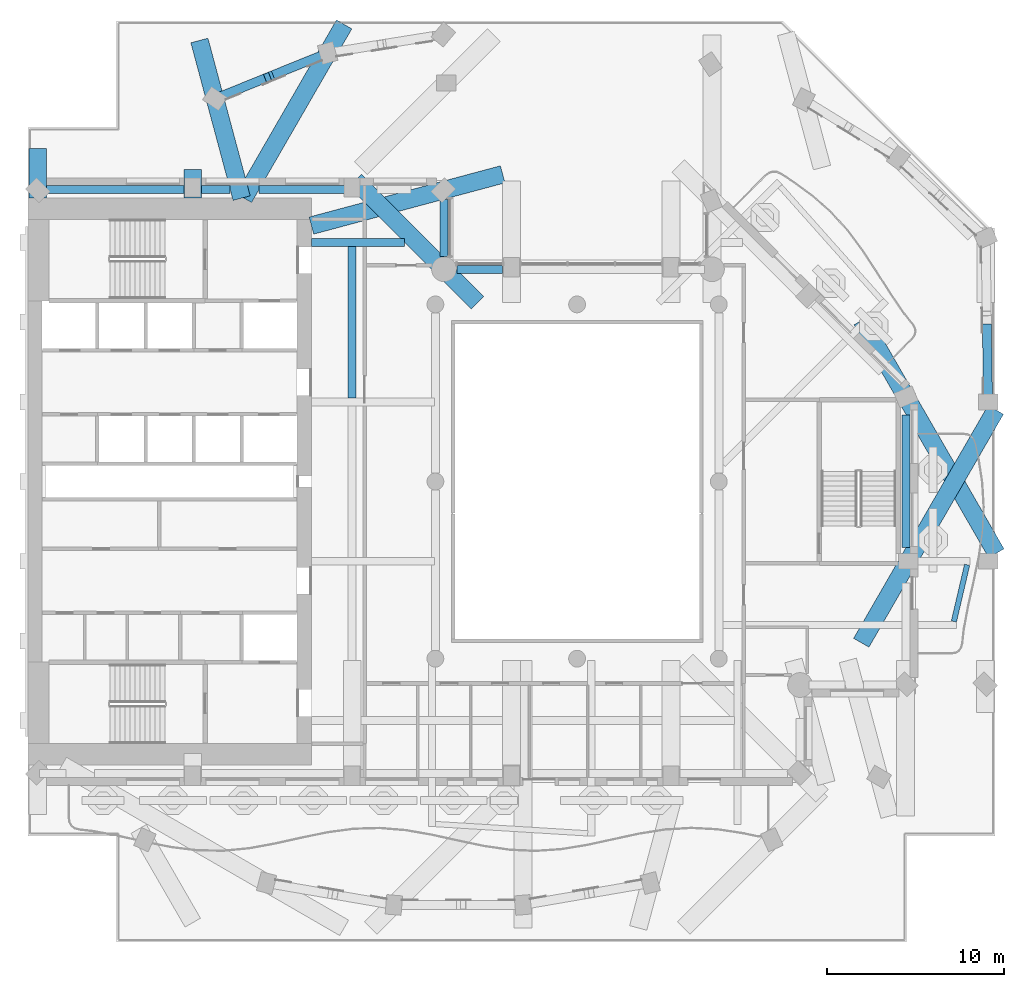
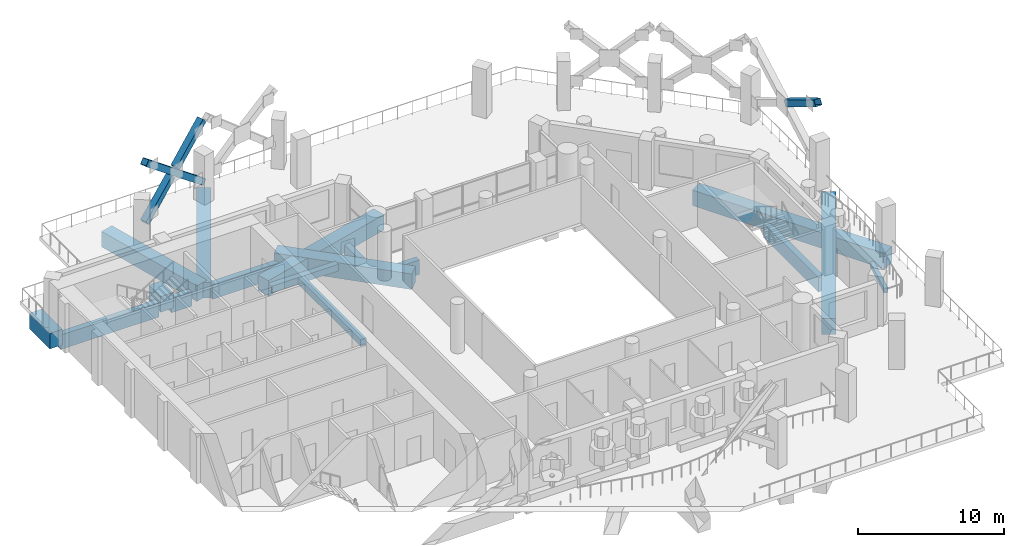
# One storey, part 2 of 18: 17 beams, 4 members.
"""IFC4 building model written with IfcOpenShell, lengths in metres."""

from ifc_helpers import new_model, si_unit, direction, frame, origin, origin_2d, place, context, subcontext, project, spatial, rectangle, hollow_rectangle, extrude, material, material_profile, profile_set, type_object, element, save


model = new_model("IFC4")

# Units and contexts
model_context = context("Model", 3, precision=1e-05, world=origin(), true_north=direction((0.0, 1.0)))
body_context = subcontext(model_context, "Body", "Model", "MODEL_VIEW")
ifc_project = project(units=[si_unit("LENGTHUNIT", "METRE"), si_unit("AREAUNIT", "SQUARE_METRE"), si_unit("VOLUMEUNIT", "CUBIC_METRE"), si_unit("PLANEANGLEUNIT", "RADIAN"), si_unit("MASSUNIT", "GRAM", prefix="KILO")], contexts=[model_context])

# Site, building, storey
site_placement = place(None, origin())
site = spatial("IfcSite", under=ifc_project, at=site_placement, CompositionType="ELEMENT")
building_placement = place(site_placement, origin())
building = spatial("IfcBuilding", under=site, at=building_placement, Name="Cypress Arch Tower", CompositionType="ELEMENT")
storey_placement = place(building_placement, frame((0.0, 0.0, 160.5)))
storey = spatial("IfcBuildingStorey", under=building, at=storey_placement, Name="L34", CompositionType="ELEMENT", Elevation=160.5)

# Beam
ifc_material_1 = material(Name="Concrete C50/60", Category="concrete")
ifc_material_profile_1 = material_profile(ifc_material_1, rectangle(XDim=0.300048828125, YDim=0.39990234375, at=origin_2d()), Name="RC 300x400")
ifc_profile_set_1 = profile_set([ifc_material_profile_1], Name="Concrete C50/60")
beam_type_1 = type_object("IfcBeamType", Name="Balcony edge beam RC 300x400 Concrete C50/60", PredefinedType="BEAM", material=ifc_profile_set_1)
beam_1_placement = place(storey_placement, frame((22.27197265625, -7.89990234375, -0.5), z_axis=(0.22749030428, 0.973780345591, 0.0), x_axis=(-0.973780345591, 0.22749030428, 0.0)))
element("IfcBeam", 1, at=beam_1_placement, inside=storey, type_object=beam_type_1, Name="Balcony edge beam L34 B04", PredefinedType="BEAM", context=body_context, shape_type="SweptSolid", body=[
    extrude(rectangle(XDim=0.300048828125, YDim=0.39990234375, at=origin_2d()), origin(), (0.0, 0.0, 1.0), 3.2861328125),
])

# Members
ifc_material_2 = material(Name="Steel ASTM A500 Grade C", Category="steel")
ifc_material_profile_2 = material_profile(ifc_material_2, hollow_rectangle(XDim=0.508056640625, YDim=0.508056640625, WallThickness=0.017578125, at=origin_2d()), Name="HSS 20x20x3/4")
ifc_profile_set_2 = profile_set([ifc_material_profile_2], Name="Steel ASTM A500 Grade C")
member_type = type_object("IfcMemberType", Name="Exoskeleton brace HSS 20x20x3/4 Steel ASTM A500 Grade C", PredefinedType="BRACE", material=ifc_profile_set_2)
member_1_placement = place(storey_placement, frame((-13.27978515625, 24.113037109375, 1.671630859375), z_axis=(-0.723226004636, -0.292975859294, 0.625387313661), x_axis=(0.37545869254, -0.926839128542, 0.0)))
element("IfcMember", 2, at=member_1_placement, inside=storey, type_object=member_type, Name="Exoskeleton brace L34 CQ03-CQ04a", PredefinedType="BRACE", context=body_context, shape_type="SweptSolid", body=[
    extrude(hollow_rectangle(XDim=0.508056640625, YDim=0.508056640625, WallThickness=0.017578125, at=origin_2d()), origin(), (0.0, 0.0, 1.0), 8.134765625),
])
member_2_placement = place(storey_placement, frame((-13.27978515625, 24.113037109375, 6.828369140625), z_axis=(-0.719383656179, -0.291412977724, -0.630528057772), x_axis=(0.37545165118, -0.926841980936, 0.0)))
element("IfcMember", 3, at=member_2_placement, inside=storey, type_object=member_type, Name="Exoskeleton brace L34 CQ03-CQ04b1", PredefinedType="BRACE", context=body_context, shape_type="SweptSolid", body=[
    extrude(hollow_rectangle(XDim=0.508056640625, YDim=0.508056640625, WallThickness=0.017578125, at=origin_2d()), origin(), (0.0, 0.0, 1.0), 3.802734375),
])
member_3_placement = place(storey_placement, frame((-19.1630859375, 21.729736328125, 1.740966796875), z_axis=(0.727077889867, 0.294540130932, 0.620164376063), x_axis=(-0.375462951032, 0.926837403433, 0.0)))
element("IfcMember", 4, at=member_3_placement, inside=storey, type_object=member_type, Name="Exoskeleton brace L34 CQ03-CQ04b2", PredefinedType="BRACE", context=body_context, shape_type="SweptSolid", body=[
    extrude(hollow_rectangle(XDim=0.508056640625, YDim=0.508056640625, WallThickness=0.017578125, at=origin_2d()), origin(), (0.0, 0.0, 1.0), 3.69921875),
])
member_4_placement = place(storey_placement, frame((24.196533203125, 4.740234375, 6.857177734375), z_axis=(-0.0126406392, 0.858675486837, -0.512363759985), x_axis=(-0.999891662361, -0.014719495242, 0.0)))
element("IfcMember", 5, at=member_4_placement, inside=storey, type_object=member_type, Name="Exoskeleton brace L34 CQ14-CQ15b1", PredefinedType="BRACE", context=body_context, shape_type="SweptSolid", body=[
    extrude(hollow_rectangle(XDim=0.508056640625, YDim=0.508056640625, WallThickness=0.017578125, at=origin_2d()), origin(), (0.0, 0.0, 1.0), 4.674072265625),
])

# Beams
ifc_material_3 = material(Name="Concrete C50/60", Category="concrete")
ifc_material_profile_3 = material_profile(ifc_material_3, rectangle(XDim=0.449951171875, YDim=0.550048828125, at=origin_2d()), Name="RC 450x550")
ifc_profile_set_3 = profile_set([ifc_material_profile_3], Name="Concrete C50/60")
beam_type_2 = type_object("IfcBeamType", Name="Floor beam RC 450x550 Concrete C50/60", PredefinedType="BEAM", material=ifc_profile_set_3)
beam_2_placement = place(storey_placement, frame((-14.0, 13.5, -0.574951171875), z_axis=(1.0, 0.0, 0.0), x_axis=(0.0, 1.0, 0.0)))
element("IfcBeam", 6, at=beam_2_placement, inside=storey, type_object=beam_type_2, Name="Floor beam L34 FB015", PredefinedType="BEAM", context=body_context, shape_type="SweptSolid", body=[
    extrude(rectangle(XDim=0.449951171875, YDim=0.550048828125, at=origin_2d()), origin(), (0.0, 0.0, 1.0), 5.2685546875),
])
beam_3_placement = place(storey_placement, frame((-11.699951171875, 4.72509765625, -0.574951171875), z_axis=(0.0, 1.0, 0.0), x_axis=(-1.0, 0.0, 0.0)))
element("IfcBeam", 7, at=beam_3_placement, inside=storey, type_object=beam_type_2, Name="Floor beam L34 FB019", PredefinedType="BEAM", context=body_context, shape_type="SweptSolid", body=[
    extrude(rectangle(XDim=0.449951171875, YDim=0.550048828125, at=origin_2d()), origin(), (0.0, 0.0, 1.0), 8.5498046875),
])
ifc_material_4 = material(Name="Concrete C50/60", Category="concrete")
ifc_material_profile_4 = material_profile(ifc_material_4, rectangle(XDim=0.449951171875, YDim=1.199951171875, at=origin_2d()), Name="RC 450x1200")
ifc_profile_set_4 = profile_set([ifc_material_profile_4], Name="Concrete C50/60")
beam_type_3 = type_object("IfcBeamType", Name="Spandrel beam RC 450x1200 Concrete C50/60", PredefinedType="SPANDREL", material=ifc_profile_set_4)
beam_4_placement = place(storey_placement, frame((19.574951171875, -3.716552734375, -1.550048828125), z_axis=(0.0, 1.0, 0.0), x_axis=(-1.0, 0.0, 0.0)))
element("IfcBeam", 8, at=beam_4_placement, inside=storey, type_object=beam_type_3, Name="Spandrel beam L34 BB04-1", PredefinedType="SPANDREL", context=body_context, shape_type="SweptSolid", body=[
    extrude(rectangle(XDim=0.449951171875, YDim=1.199951171875, at=origin_2d()), origin(), (0.0, 0.0, 1.0), 7.487548828125),
])
beam_5_placement = place(storey_placement, frame((-3.199951171875, 11.97509765625, -1.550048828125), z_axis=(-1.0, 0.0, 0.0), x_axis=(0.0, -1.0, 0.0)))
element("IfcBeam", 9, at=beam_5_placement, inside=storey, type_object=beam_type_3, Name="Spandrel beam L34 BB07-2", PredefinedType="SPANDREL", context=body_context, shape_type="SweptSolid", body=[
    extrude(rectangle(XDim=0.449951171875, YDim=1.199951171875, at=origin_2d()), origin(), (0.0, 0.0, 1.0), 2.59228515625),
])
beam_6_placement = place(storey_placement, frame((-6.52490234375, 12.707763671875, -1.550048828125), z_axis=(0.0, 1.0, 0.0), x_axis=(-1.0, 0.0, 0.0)))
element("IfcBeam", 10, at=beam_6_placement, inside=storey, type_object=beam_type_3, Name="Spandrel beam L34 BB08-0", PredefinedType="SPANDREL", context=body_context, shape_type="SweptSolid", body=[
    extrude(rectangle(XDim=0.449951171875, YDim=1.199951171875, at=origin_2d()), origin(), (0.0, 0.0, 1.0), 3.22607421875),
])
beam_7_placement = place(storey_placement, frame((-11.706298828125, 16.47509765625, -1.550048828125), z_axis=(-1.0, 0.0, 0.0), x_axis=(0.0, -1.0, 0.0)))
element("IfcBeam", 11, at=beam_7_placement, inside=storey, type_object=beam_type_3, Name="Spandrel beam L34 BB09-1", PredefinedType="SPANDREL", context=body_context, shape_type="SweptSolid", body=[
    extrude(rectangle(XDim=0.449951171875, YDim=1.199951171875, at=origin_2d()), origin(), (0.0, 0.0, 1.0), 5.25390625),
])
beam_8_placement = place(storey_placement, frame((-18.581787109375, 16.47509765625, -1.550048828125), z_axis=(-1.0, 0.0, 0.0), x_axis=(0.0, -1.0, 0.0)))
element("IfcBeam", 12, at=beam_8_placement, inside=storey, type_object=beam_type_3, Name="Spandrel beam L34 BB09-1", PredefinedType="SPANDREL", context=body_context, shape_type="SweptSolid", body=[
    extrude(rectangle(XDim=0.449951171875, YDim=1.199951171875, at=origin_2d()), origin(), (0.0, 0.0, 1.0), 1.6181640625),
])
beam_9_placement = place(storey_placement, frame((-21.199951171875, 16.47509765625, -1.550048828125), z_axis=(-1.0, 0.0, 0.0), x_axis=(0.0, -1.0, 0.0)))
element("IfcBeam", 13, at=beam_9_placement, inside=storey, type_object=beam_type_3, Name="Spandrel beam L34 BB09-2", PredefinedType="SPANDREL", context=body_context, shape_type="SweptSolid", body=[
    extrude(rectangle(XDim=0.449951171875, YDim=1.199951171875, at=origin_2d()), origin(), (0.0, 0.0, 1.0), 7.742919921875),
])
ifc_material_5 = material(Name="Concrete C80/95", Category="concrete")
ifc_material_profile_5 = material_profile(ifc_material_5, rectangle(XDim=1.0, YDim=1.300048828125, at=origin_2d()), Name="RC 1000x1300")
ifc_profile_set_5 = profile_set([ifc_material_profile_5], Name="Concrete C80/95")
beam_type_4 = type_object("IfcBeamType", Name="Transfer girder RC 1000x1300 Concrete C80/95", PredefinedType="BEAM", material=ifc_profile_set_5)
beam_10_placement = place(storey_placement, frame((-29.44287109375, 16.0, -0.949951171875), z_axis=(0.0, 1.0, 0.0), x_axis=(-1.0, 0.0, 0.0)))
element("IfcBeam", 14, at=beam_10_placement, inside=storey, type_object=beam_type_4, Name="Transfer girder L34 CB00", PredefinedType="BEAM", context=body_context, shape_type="SweptSolid", body=[
    extrude(rectangle(XDim=1.0, YDim=1.300048828125, at=origin_2d()), origin(), (0.0, 0.0, 1.0), 2.806396484375),
])
beam_11_placement = place(storey_placement, frame((17.044189453125, -9.10009765625, -0.949951171875), z_axis=(0.499990141301, 0.866031095632, 0.0), x_axis=(-0.866031095632, 0.499990141301, 0.0)))
element("IfcBeam", 15, at=beam_11_placement, inside=storey, type_object=beam_type_4, Name="Transfer girder L34 CB09", PredefinedType="BEAM", context=body_context, shape_type="SweptSolid", body=[
    extrude(rectangle(XDim=1.0, YDim=1.300048828125, at=origin_2d()), origin(), (0.0, 0.0, 1.0), 15.184326171875),
])
beam_12_placement = place(storey_placement, frame((24.66796875, -4.050048828125, -0.949951171875), z_axis=(-0.500002200117, 0.866024133543, 0.0), x_axis=(-0.866024133543, -0.500002200117, 0.0)))
element("IfcBeam", 16, at=beam_12_placement, inside=storey, type_object=beam_type_4, Name="Transfer girder L34 CB10", PredefinedType="BEAM", context=body_context, shape_type="SweptSolid", body=[
    extrude(rectangle(XDim=1.0, YDim=1.300048828125, at=origin_2d()), origin(), (0.0, 0.0, 1.0), 15.1845703125),
])
beam_13_placement = place(storey_placement, frame((-4.624267578125, 10.10009765625, -0.949951171875), z_axis=(-0.707119283627, 0.707094278525, 0.0), x_axis=(-0.707094278525, -0.707119283627, 0.0)))
element("IfcBeam", 17, at=beam_13_placement, inside=storey, type_object=beam_type_4, Name="Transfer girder L34 CB16", PredefinedType="BEAM", context=body_context, shape_type="SweptSolid", body=[
    extrude(rectangle(XDim=1.0, YDim=1.300048828125, at=origin_2d()), origin(), (0.0, 0.0, 1.0), 9.763671875),
])
beam_14_placement = place(storey_placement, frame((-14.0, 14.448486328125, -0.949951171875), z_axis=(0.96592290327, 0.258829953711, 0.0), x_axis=(-0.258829953711, 0.96592290327, 0.0)))
element("IfcBeam", 18, at=beam_14_placement, inside=storey, type_object=beam_type_4, Name="Transfer girder L34 CB17", PredefinedType="BEAM", context=body_context, shape_type="SweptSolid", body=[
    extrude(rectangle(XDim=1.0, YDim=1.300048828125, at=origin_2d()), origin(), (0.0, 0.0, 1.0), 11.180419921875),
])
beam_15_placement = place(storey_placement, frame((-20.699951171875, 16.0, -0.949951171875), z_axis=(0.0, 1.0, 0.0), x_axis=(-1.0, 0.0, 0.0)))
element("IfcBeam", 19, at=beam_15_placement, inside=storey, type_object=beam_type_4, Name="Transfer girder L34 CB19", PredefinedType="BEAM", context=body_context, shape_type="SweptSolid", body=[
    extrude(rectangle(XDim=1.0, YDim=1.300048828125, at=origin_2d()), origin(), (0.0, 0.0, 1.0), 1.625),
])
beam_16_placement = place(storey_placement, frame((-17.811767578125, 16.0, -0.949951171875), z_axis=(0.500009245175, 0.866020066014, 0.0), x_axis=(-0.866020066014, 0.500009245175, 0.0)))
element("IfcBeam", 20, at=beam_16_placement, inside=storey, type_object=beam_type_4, Name="Transfer girder L34 CQ03", PredefinedType="BEAM", context=body_context, shape_type="SweptSolid", body=[
    extrude(rectangle(XDim=1.0, YDim=1.300048828125, at=origin_2d()), origin(), (0.0, 0.0, 1.0), 11.323486328125),
])
beam_17_placement = place(storey_placement, frame((-17.936767578125, 16.0, -0.949951171875), z_axis=(-0.25882349852, 0.965924632989, 0.0), x_axis=(-0.965924632989, -0.25882349852, 0.0)))
element("IfcBeam", 21, at=beam_17_placement, inside=storey, type_object=beam_type_4, Name="Transfer girder L34 CQ04", PredefinedType="BEAM", context=body_context, shape_type="SweptSolid", body=[
    extrude(rectangle(XDim=1.0, YDim=1.300048828125, at=origin_2d()), origin(), (0.0, 0.0, 1.0), 9.2138671875),
])

save(model, "model.ifc")
